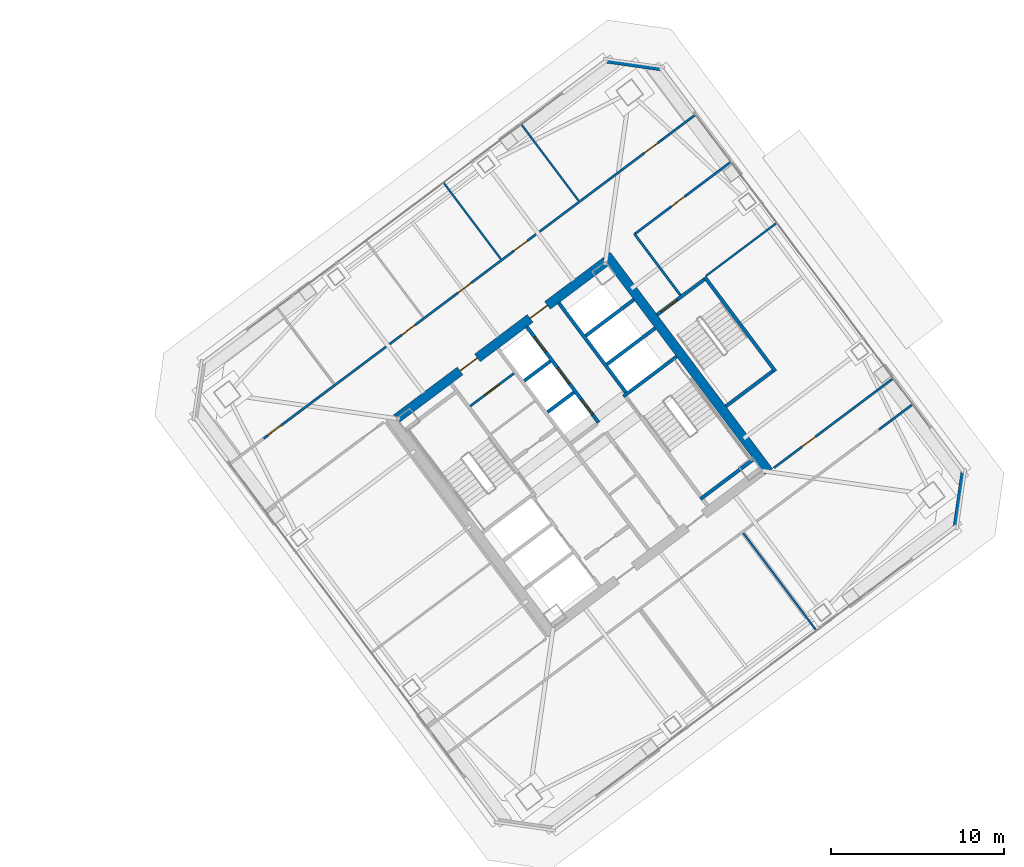
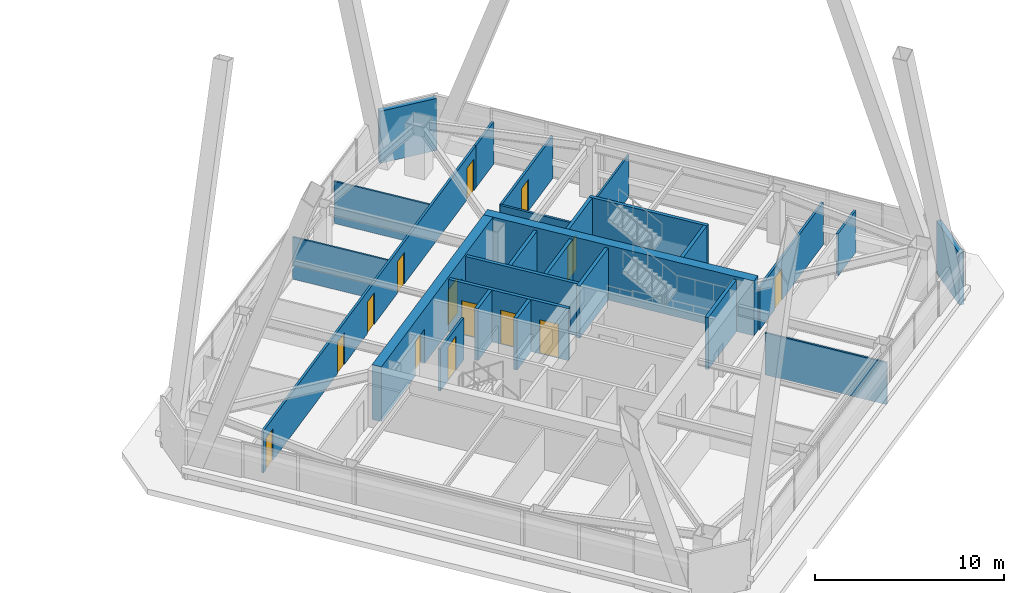
# One storey, part 58 of 65: 26 walls, 14 doors, 14 openings.
"""IFC4 building model written with IfcOpenShell, lengths in metres."""

from ifc_helpers import new_model, si_unit, direction, frame, frame_2d, origin, place, context, subcontext, project, spatial, rectangle, extrude, material, layer, layer_set, type_object, element, fill, save


model = new_model("IFC4")

# Units and contexts
model_context = context("Model", 3, precision=1e-05, world=origin(), true_north=direction((0.0, 1.0)))
body_context = subcontext(model_context, "Body", "Model", "MODEL_VIEW")
ifc_project = project(units=[si_unit("LENGTHUNIT", "METRE"), si_unit("AREAUNIT", "SQUARE_METRE"), si_unit("VOLUMEUNIT", "CUBIC_METRE"), si_unit("PLANEANGLEUNIT", "RADIAN"), si_unit("MASSUNIT", "GRAM", prefix="KILO")], contexts=[model_context])

# Site, building, storey
site_placement = place(None, origin())
site = spatial("IfcSite", under=ifc_project, at=site_placement, CompositionType="ELEMENT")
building_placement = place(site_placement, origin())
building = spatial("IfcBuilding", under=site, at=building_placement, Name="Tashvorn Skyway Center", CompositionType="ELEMENT")
storey_placement = place(building_placement, frame((0.0, 0.0, 157.0)))
storey = spatial("IfcBuildingStorey", under=building, at=storey_placement, Name="L42", CompositionType="ELEMENT", Elevation=157.0)

# Wall
ifc_material_1 = material(Name="Concrete C60/75", Category="concrete")
ifc_layer_1 = layer(ifc_material_1, 0.550048828125)
ifc_layer_set_1 = layer_set([ifc_layer_1], Name="Concrete C60/75")
wall_type_1 = type_object("IfcWallType", Name="WALL-CORE-550", PredefinedType="SHEAR", material=ifc_layer_set_1)
wall_1_placement = place(storey_placement, frame((115.56396484375, 42.923095703125, 0.0), z_axis=(0.0, 0.0, 1.0), x_axis=(0.600005007985, -0.799996243986, 0.0)))
element("IfcWall", 1, at=wall_1_placement, inside=storey, type_object=wall_type_1, Name="Tower 2 L42 East Core Shear Wall", PredefinedType="SHEAR", context=body_context, shape_type="SweptSolid", body=[
    extrude(rectangle(XDim=15.60009765625, YDim=0.550048828125, at=frame_2d((7.800048828125, 0.0))), origin(), (0.0, 0.0, 1.0), 3.550048828125),
])

# Wall, openings, doors
wall_2_placement = place(storey_placement, frame((103.4609375, 33.501953125, 0.0), z_axis=(0.0, 0.0, 1.0), x_axis=(0.799998054672, 0.600002593761, 0.0)))
wall_2 = element("IfcWall", 2, at=wall_2_placement, inside=storey, type_object=wall_type_1, Name="Tower 2 L42 North Core Shear Wall", PredefinedType="SHEAR", context=body_context, shape_type="SweptSolid", body=[
    extrude(rectangle(XDim=15.06005859375, YDim=0.550048828125, at=frame_2d((7.530029296875, 0.0))), origin(), (0.0, 0.0, 1.0), 3.550048828125),
])
opening_1_placement = place(wall_2_placement, frame((4.580078125, 0.0, 0.0)))
opening_1 = element("IfcOpeningElement", 3, at=opening_1_placement, cuts=wall_2, Name="Opening D-FFL-1250", PredefinedType="OPENING", context=body_context, shape_type="SweptSolid", body=[
    extrude(rectangle(XDim=1.25, YDim=2.25, at=frame_2d((0.625, 1.125))), frame((0.0, 0.284912109375, 0.0), z_axis=(0.0, -1.0, 0.0), x_axis=(1.0, 0.0, 0.0)), (0.0, 0.0, 1.0), 0.570068359375),
])
opening_2_placement = place(wall_2_placement, frame((9.6298828125, 0.0, 0.0)))
opening_2 = element("IfcOpeningElement", 4, at=opening_2_placement, cuts=wall_2, Name="Opening D-FFL-1250", PredefinedType="OPENING", context=body_context, shape_type="SweptSolid", body=[
    extrude(rectangle(XDim=1.25, YDim=2.25, at=frame_2d((0.625, 1.125))), frame((0.0, 0.284912109375, 0.0), z_axis=(0.0, -1.0, 0.0), x_axis=(1.0, 0.0, 0.0)), (0.0, 0.0, 1.0), 0.570068359375),
])
ifc_material_2 = material(Name="Hollow galvanized steel fire door assembly", Category="steel")
door_type_1 = type_object("IfcDoorType", Name="DOOR-FFL-1250", OperationType="NOTDEFINED", PredefinedType="DOOR", material=ifc_material_2)
door_1_placement = place(opening_1_placement, origin())
door_1 = element("IfcDoor", 5, at=door_1_placement, inside=storey, type_object=door_type_1, Name="Tower 2 L42 Core North Service Lobby Door", OperationType="SINGLE_SWING_LEFT", OverallHeight=2.25, OverallWidth=1.25, PredefinedType="DOOR", context=body_context, shape_type="SweptSolid", body=[
    extrude(rectangle(XDim=1.25, YDim=2.25, at=frame_2d((0.625, 1.125))), frame((0.0, 0.02490234375, 0.0), z_axis=(0.0, -1.0, 0.0), x_axis=(1.0, 0.0, 0.0)), (0.0, 0.0, 1.0), 0.050048828125),
])
fill(opening_1, door_1)
door_2_placement = place(opening_2_placement, origin())
door_2 = element("IfcDoor", 6, at=door_2_placement, inside=storey, type_object=door_type_1, Name="Tower 2 L42 Core North Lift Lobby Door", OperationType="SINGLE_SWING_RIGHT", OverallHeight=2.25, OverallWidth=1.25, PredefinedType="DOOR", context=body_context, shape_type="SweptSolid", body=[
    extrude(rectangle(XDim=1.25, YDim=2.25, at=frame_2d((0.625, 1.125))), frame((0.0, 0.02490234375, 0.0), z_axis=(0.0, -1.0, 0.0), x_axis=(1.0, 0.0, 0.0)), (0.0, 0.0, 1.0), 0.050048828125),
])
fill(opening_2, door_2)

# Walls
ifc_material_3 = material(Name="Precast concrete C40/50", Category="concrete")
ifc_layer_2 = layer(ifc_material_3, 0.280029296875)
ifc_layer_set_2 = layer_set([ifc_layer_2], Name="Precast concrete C40/50")
wall_type_2 = type_object("IfcWallType", Name="WALL-EXT-280", PredefinedType="SOLIDWALL", material=ifc_layer_set_2)
for number, where, z_axis, x_axis, name in (
    (7, (115.52001953125, 54.139892578125, 0.0), (0.0, 0.0, 1.0), (0.989950994782, -0.141410847992, 0.0), "Tower 2 L42 NE Precast Chamfer Wall"),
    (8, (136.139892578125, 30.47998046875, 0.0), (0.0, 0.0, 1.0), (-0.141410847992, -0.989950994782, 0.0), "Tower 2 L42 SE Precast Chamfer Wall"),
):
    element("IfcWall", number, at=place(storey_placement, frame(where, z_axis=z_axis, x_axis=x_axis)), inside=storey, type_object=wall_type_2, Name=name, PredefinedType="SOLIDWALL", context=body_context, shape_type="SweptSolid", body=[
        extrude(rectangle(XDim=3.252685546875, YDim=0.280029296875, at=frame_2d((1.62646484375, 0.0))), origin(), (0.0, 0.0, 1.0), 3.3701171875),
    ])
ifc_material_4 = material(Name="Gypsum board on cold-formed steel stud framing", Category="steel")
ifc_layer_3 = layer(ifc_material_4, 0.110107421875)
ifc_layer_set_3 = layer_set([ifc_layer_3], Name="Gypsum board on cold-formed steel stud framing")
wall_type_3 = type_object("IfcWallType", Name="WALL-PART-110", PredefinedType="PARTITIONING", material=ifc_layer_set_3)
wall_3_placement = place(storey_placement, frame((109.471923828125, 42.7041015625, 0.0), z_axis=(0.0, 0.0, 1.0), x_axis=(-0.599985794856, 0.800010653661, 0.0)))
element("IfcWall", 9, at=wall_3_placement, inside=storey, type_object=wall_type_3, Name="Tower 2 L42 North Suite Partition 3", PredefinedType="PARTITIONING", context=body_context, shape_type="SweptSolid", body=[
    extrude(rectangle(XDim=5.499755859375, YDim=0.110107421875, at=frame_2d((2.75, 0.0))), origin(), (0.0, 0.0, 1.0), 2.722900390625),
])
wall_4_placement = place(storey_placement, frame((113.951904296875, 46.06396484375, 0.0), z_axis=(0.0, 0.0, 1.0), x_axis=(-0.599964488045, 0.800026632735, 0.0)))
element("IfcWall", 10, at=wall_4_placement, inside=storey, type_object=wall_type_3, Name="Tower 2 L42 North Suite Partition 4", PredefinedType="PARTITIONING", context=body_context, shape_type="SweptSolid", body=[
    extrude(rectangle(XDim=5.5, YDim=0.110107421875, at=frame_2d((2.75, 0.0))), origin(), (0.0, 0.0, 1.0), 2.722900390625),
])
wall_5_placement = place(storey_placement, frame((127.66796875, 21.27587890625, 0.0), z_axis=(0.0, 0.0, 1.0), x_axis=(-0.6, 0.8, 0.0)))
element("IfcWall", 11, at=wall_5_placement, inside=storey, type_object=wall_type_3, Name="Tower 2 L42 South Suite Partition 2", PredefinedType="PARTITIONING", context=body_context, shape_type="SweptSolid", body=[
    extrude(rectangle(XDim=7.030029296875, YDim=0.110107421875, at=frame_2d((3.51513671875, 0.0))), origin(), (0.0, 0.0, 1.0), 2.722900390625),
])
wall_6_placement = place(storey_placement, frame((125.384033203125, 44.7880859375, 0.0), z_axis=(0.0, 0.0, 1.0), x_axis=(-0.8, -0.6, 0.0)))
element("IfcWall", 12, at=wall_6_placement, inside=storey, type_object=wall_type_3, Name="Tower 2 L42 East Suite Partition 1", PredefinedType="PARTITIONING", context=body_context, shape_type="SweptSolid", body=[
    extrude(rectangle(XDim=5.10009765625, YDim=0.110107421875, at=frame_2d((2.550048828125, 0.0))), origin(), (0.0, 0.0, 1.0), 2.722900390625),
])
ifc_layer_4 = layer(ifc_material_4, 0.135009765625)
ifc_layer_set_4 = layer_set([ifc_layer_4], Name="Gypsum board on cold-formed steel stud framing")
wall_type_4 = type_object("IfcWallType", Name="WALL-PART-135", PredefinedType="PARTITIONING", material=ifc_layer_set_4)
wall_7_placement = place(storey_placement, frame((119.823974609375, 40.617919921875, 0.0), z_axis=(0.0, 0.0, 1.0), x_axis=(-0.599982243973, 0.800013316712, 0.0)))
element("IfcWall", 13, at=wall_7_placement, inside=storey, type_object=wall_type_4, Name="Tower 2 L42 Stair 3 Access Corridor Wall", PredefinedType="PARTITIONING", context=body_context, shape_type="SweptSolid", body=[
    extrude(rectangle(XDim=4.39990234375, YDim=0.135009765625, at=frame_2d((2.199951171875, 0.0))), origin(), (0.0, 0.0, 1.0), 2.722900390625),
])

# Wall, openings, doors
wall_8_placement = place(storey_placement, frame((95.800048828125, 32.35009765625, 0.0), z_axis=(0.0, 0.0, 1.0), x_axis=(0.8, 0.6, 0.0)))
wall_8 = element("IfcWall", 14, at=wall_8_placement, inside=storey, type_object=wall_type_4, Name="Tower 2 L42 North Suite Wall", PredefinedType="PARTITIONING", context=body_context, shape_type="SweptSolid", body=[
    extrude(rectangle(XDim=28.699951171875, YDim=0.135009765625, at=frame_2d((14.35009765625, 0.0))), origin(), (0.0, 0.0, 1.0), 2.722900390625),
])
opening_3_placement = place(wall_8_placement, frame((0.300048828125, 0.0, 0.0)))
opening_3 = element("IfcOpeningElement", 15, at=opening_3_placement, cuts=wall_8, Name="Opening D-INT-950", PredefinedType="OPENING", context=body_context, shape_type="SweptSolid", body=[
    extrude(rectangle(XDim=0.949951171875, YDim=2.050048828125, at=frame_2d((0.47509765625, 1.02490234375))), frame((0.0, 0.077392578125, 0.0), z_axis=(0.0, -1.0, 0.0), x_axis=(1.0, 0.0, 0.0)), (0.0, 0.0, 1.0), 0.155029296875),
])
opening_4_placement = place(wall_8_placement, frame((9.95947265625, 0.0, 0.0)))
opening_4 = element("IfcOpeningElement", 16, at=opening_4_placement, cuts=wall_8, Name="Opening D-INT-950", PredefinedType="OPENING", context=body_context, shape_type="SweptSolid", body=[
    extrude(rectangle(XDim=0.949951171875, YDim=2.050048828125, at=frame_2d((0.47509765625, 1.02490234375))), frame((0.0, 0.077392578125, 0.0), z_axis=(0.0, -1.0, 0.0), x_axis=(1.0, 0.0, 0.0)), (0.0, 0.0, 1.0), 0.155029296875),
])
opening_5_placement = place(wall_8_placement, frame((14.004638671875, 0.0, 0.0)))
opening_5 = element("IfcOpeningElement", 17, at=opening_5_placement, cuts=wall_8, Name="Opening D-INT-950", PredefinedType="OPENING", context=body_context, shape_type="SweptSolid", body=[
    extrude(rectangle(XDim=0.949951171875, YDim=2.050048828125, at=frame_2d((0.47509765625, 1.02490234375))), frame((0.0, 0.077392578125, 0.0), z_axis=(0.0, -1.0, 0.0), x_axis=(1.0, 0.0, 0.0)), (0.0, 0.0, 1.0), 0.155029296875),
])
opening_6_placement = place(wall_8_placement, frame((18.048583984375, 0.0, 0.0)))
opening_6 = element("IfcOpeningElement", 18, at=opening_6_placement, cuts=wall_8, Name="Opening D-INT-950", PredefinedType="OPENING", context=body_context, shape_type="SweptSolid", body=[
    extrude(rectangle(XDim=0.949951171875, YDim=2.050048828125, at=frame_2d((0.47509765625, 1.02490234375))), frame((0.0, 0.077392578125, 0.0), z_axis=(0.0, -1.0, 0.0), x_axis=(1.0, 0.0, 0.0)), (0.0, 0.0, 1.0), 0.155029296875),
])
opening_7_placement = place(wall_8_placement, frame((27.449951171875, 0.0, 0.0)))
opening_7 = element("IfcOpeningElement", 19, at=opening_7_placement, cuts=wall_8, Name="Opening D-INT-950", PredefinedType="OPENING", context=body_context, shape_type="SweptSolid", body=[
    extrude(rectangle(XDim=0.949951171875, YDim=2.050048828125, at=frame_2d((0.47509765625, 1.02490234375))), frame((0.0, 0.077392578125, 0.0), z_axis=(0.0, -1.0, 0.0), x_axis=(1.0, 0.0, 0.0)), (0.0, 0.0, 1.0), 0.155029296875),
])
ifc_material_5 = material(Name="Solid-core architectural oak veneer door")
door_type_2 = type_object("IfcDoorType", Name="DOOR-INT-950", OperationType="NOTDEFINED", PredefinedType="DOOR", material=ifc_material_5)
door_3_placement = place(opening_3_placement, origin())
door_3 = element("IfcDoor", 20, at=door_3_placement, inside=storey, type_object=door_type_2, Name="Tower 2 L42 Research Library Door", OperationType="SINGLE_SWING_RIGHT", OverallHeight=2.050048828125, OverallWidth=0.949951171875, PredefinedType="DOOR", context=body_context, shape_type="SweptSolid", body=[
    extrude(rectangle(XDim=0.949951171875, YDim=2.050048828125, at=frame_2d((0.47509765625, 1.02490234375))), frame((0.0, 0.02490234375, 0.0), z_axis=(0.0, -1.0, 0.0), x_axis=(1.0, 0.0, 0.0)), (0.0, 0.0, 1.0), 0.050048828125),
])
fill(opening_3, door_3)
door_4_placement = place(opening_4_placement, origin())
door_4 = element("IfcDoor", 21, at=door_4_placement, inside=storey, type_object=door_type_2, Name="Tower 2 L42 Research Library Door", OperationType="SINGLE_SWING_LEFT", OverallHeight=2.050048828125, OverallWidth=0.949951171875, PredefinedType="DOOR", context=body_context, shape_type="SweptSolid", body=[
    extrude(rectangle(XDim=0.949951171875, YDim=2.050048828125, at=frame_2d((0.47509765625, 1.02490234375))), frame((0.0, 0.02490234375, 0.0), z_axis=(0.0, -1.0, 0.0), x_axis=(1.0, 0.0, 0.0)), (0.0, 0.0, 1.0), 0.050048828125),
])
fill(opening_4, door_4)
door_5_placement = place(opening_5_placement, origin())
door_5 = element("IfcDoor", 22, at=door_5_placement, inside=storey, type_object=door_type_2, Name="Tower 2 L42 Staff Fitness Club Door", OperationType="SINGLE_SWING_RIGHT", OverallHeight=2.050048828125, OverallWidth=0.949951171875, PredefinedType="DOOR", context=body_context, shape_type="SweptSolid", body=[
    extrude(rectangle(XDim=0.949951171875, YDim=2.050048828125, at=frame_2d((0.47509765625, 1.02490234375))), frame((0.0, 0.02490234375, 0.0), z_axis=(0.0, -1.0, 0.0), x_axis=(1.0, 0.0, 0.0)), (0.0, 0.0, 1.0), 0.050048828125),
])
fill(opening_5, door_5)
door_6_placement = place(opening_6_placement, origin())
door_6 = element("IfcDoor", 23, at=door_6_placement, inside=storey, type_object=door_type_2, Name="Tower 2 L42 Research Library Door", OperationType="SINGLE_SWING_LEFT", OverallHeight=2.050048828125, OverallWidth=0.949951171875, PredefinedType="DOOR", context=body_context, shape_type="SweptSolid", body=[
    extrude(rectangle(XDim=0.949951171875, YDim=2.050048828125, at=frame_2d((0.47509765625, 1.02490234375))), frame((0.0, 0.02490234375, 0.0), z_axis=(0.0, -1.0, 0.0), x_axis=(1.0, 0.0, 0.0)), (0.0, 0.0, 1.0), 0.050048828125),
])
fill(opening_6, door_6)
door_7_placement = place(opening_7_placement, origin())
door_7 = element("IfcDoor", 24, at=door_7_placement, inside=storey, type_object=door_type_2, Name="Tower 2 L42 Research Library Door", OperationType="SINGLE_SWING_RIGHT", OverallHeight=2.050048828125, OverallWidth=0.949951171875, PredefinedType="DOOR", context=body_context, shape_type="SweptSolid", body=[
    extrude(rectangle(XDim=0.949951171875, YDim=2.050048828125, at=frame_2d((0.47509765625, 1.02490234375))), frame((0.0, 0.02490234375, 0.0), z_axis=(0.0, -1.0, 0.0), x_axis=(1.0, 0.0, 0.0)), (0.0, 0.0, 1.0), 0.050048828125),
])
fill(opening_7, door_7)

# Walls
for number, where, z_axis, x_axis, name in (
    (25, (118.760009765625, 49.570068359375, 0.0), (0.0, 0.0, 1.0), (0.800012055778, 0.599983925293, 0.0), "Tower 2 L42 North-East Suite South Wall"),
    (26, (131.281982421875, 32.8740234375, 0.0), (0.0, 0.0, 1.0), (0.800012055778, 0.599983925293, 0.0), "Tower 2 L42 South-East Suite North Wall"),
):
    element("IfcWall", number, at=place(storey_placement, frame(where, z_axis=z_axis, x_axis=x_axis)), inside=storey, type_object=wall_type_4, Name=name, PredefinedType="PARTITIONING", context=body_context, shape_type="SweptSolid", body=[
        extrude(rectangle(XDim=2.43017578125, YDim=0.135009765625, at=frame_2d((1.215087890625, 0.0))), origin(), (0.0, 0.0, 1.0), 2.722900390625),
    ])

# Wall, opening, door
wall_9_placement = place(storey_placement, frame((122.743896484375, 48.30810546875, 0.0), z_axis=(0.0, 0.0, 1.0), x_axis=(-0.79997892247, -0.600028102345, 0.0)))
wall_9 = element("IfcWall", 27, at=wall_9_placement, inside=storey, type_object=wall_type_4, Name="Tower 2 L42 East Suite North Wall", PredefinedType="PARTITIONING", context=body_context, shape_type="SweptSolid", body=[
    extrude(rectangle(XDim=6.949951171875, YDim=0.135009765625, at=frame_2d((3.47509765625, 0.0))), origin(), (0.0, 0.0, 1.0), 2.722900390625),
])
opening_8_placement = place(wall_9_placement, frame((3.35009765625, 0.0, 0.0)))
opening_8 = element("IfcOpeningElement", 28, at=opening_8_placement, cuts=wall_9, Name="Opening D-INT-950", PredefinedType="OPENING", context=body_context, shape_type="SweptSolid", body=[
    extrude(rectangle(XDim=0.949951171875, YDim=2.050048828125, at=frame_2d((0.47509765625, 1.02490234375))), frame((0.0, 0.077392578125, 0.0), z_axis=(0.0, -1.0, 0.0), x_axis=(1.0, 0.0, 0.0)), (0.0, 0.0, 1.0), 0.155029296875),
])
door_8_placement = place(opening_8_placement, origin())
door_8 = element("IfcDoor", 29, at=door_8_placement, inside=storey, type_object=door_type_2, Name="Tower 2 L42 Research Library Door", OperationType="SINGLE_SWING_RIGHT", OverallHeight=2.050048828125, OverallWidth=0.949951171875, PredefinedType="DOOR", context=body_context, shape_type="SweptSolid", body=[
    extrude(rectangle(XDim=0.949951171875, YDim=2.050048828125, at=frame_2d((0.47509765625, 1.02490234375))), frame((0.0, 0.02490234375, 0.0), z_axis=(0.0, -1.0, 0.0), x_axis=(1.0, 0.0, 0.0)), (0.0, 0.0, 1.0), 0.050048828125),
])
fill(opening_8, door_8)

wall_10_placement = place(storey_placement, frame((125.2080078125, 30.656005859375, 0.0), z_axis=(0.0, 0.0, 1.0), x_axis=(0.800006797429, 0.599990936654, 0.0)))
wall_10 = element("IfcWall", 30, at=wall_10_placement, inside=storey, type_object=wall_type_4, Name="Tower 2 L42 East Suite South Wall", PredefinedType="PARTITIONING", context=body_context, shape_type="SweptSolid", body=[
    extrude(rectangle(XDim=8.619873046875, YDim=0.135009765625, at=frame_2d((4.31005859375, 0.0))), origin(), (0.0, 0.0, 1.0), 2.722900390625),
])
opening_9_placement = place(wall_10_placement, frame((2.044921875, 0.0, 0.0)))
opening_9 = element("IfcOpeningElement", 31, at=opening_9_placement, cuts=wall_10, Name="Opening D-INT-950", PredefinedType="OPENING", context=body_context, shape_type="SweptSolid", body=[
    extrude(rectangle(XDim=0.949951171875, YDim=2.050048828125, at=frame_2d((0.47509765625, 1.02490234375))), frame((0.0, 0.077392578125, 0.0), z_axis=(0.0, -1.0, 0.0), x_axis=(1.0, 0.0, 0.0)), (0.0, 0.0, 1.0), 0.155029296875),
])
door_9_placement = place(opening_9_placement, origin())
door_9 = element("IfcDoor", 32, at=door_9_placement, inside=storey, type_object=door_type_2, Name="Tower 2 L42 Public Restroom Door", OperationType="SINGLE_SWING_LEFT", OverallHeight=2.050048828125, OverallWidth=0.949951171875, PredefinedType="DOOR", context=body_context, shape_type="SweptSolid", body=[
    extrude(rectangle(XDim=0.949951171875, YDim=2.050048828125, at=frame_2d((0.47509765625, 1.02490234375))), frame((0.0, 0.02490234375, 0.0), z_axis=(0.0, -1.0, 0.0), x_axis=(1.0, 0.0, 0.0)), (0.0, 0.0, 1.0), 0.050048828125),
])
fill(opening_9, door_9)

ifc_layer_5 = layer(ifc_material_4, 0.135009765625)
ifc_layer_set_5 = layer_set([ifc_layer_5], Name="Gypsum board on cold-formed steel stud framing")
wall_type_5 = type_object("IfcWallType", Name="WALL-RATED-135", PredefinedType="PARTITIONING", material=ifc_layer_set_5)
wall_11_placement = place(storey_placement, frame((107.7099609375, 34.219970703125, 0.0), z_axis=(0.0, 0.0, 1.0), x_axis=(0.799981399002, 0.60002480053, 0.0)))
wall_11 = element("IfcWall", 33, at=wall_11_placement, inside=storey, type_object=wall_type_5, Name="Tower 2 L42 Core Service Lobby Wall", PredefinedType="PARTITIONING", context=body_context, shape_type="SweptSolid", body=[
    extrude(rectangle(XDim=3.150146484375, YDim=0.135009765625, at=frame_2d((1.5751953125, 0.0))), origin(), (0.0, 0.0, 1.0), 2.722900390625),
])
opening_10_placement = place(wall_11_placement, frame((1.050048828125, 0.0, 0.0)))
opening_10 = element("IfcOpeningElement", 34, at=opening_10_placement, cuts=wall_11, Name="Opening D-RT-1050", PredefinedType="OPENING", context=body_context, shape_type="SweptSolid", body=[
    extrude(rectangle(XDim=1.050048828125, YDim=2.199951171875, at=frame_2d((0.52490234375, 1.10009765625))), frame((0.0, 0.077392578125, 0.0), z_axis=(0.0, -1.0, 0.0), x_axis=(1.0, 0.0, 0.0)), (0.0, 0.0, 1.0), 0.155029296875),
])
door_type_3 = type_object("IfcDoorType", Name="DOOR-RATED-1050", OperationType="NOTDEFINED", PredefinedType="DOOR", material=ifc_material_2)
door_10_placement = place(opening_10_placement, origin())
door_10 = element("IfcDoor", 35, at=door_10_placement, inside=storey, type_object=door_type_3, Name="Tower 2 L42 Core Accessible WC Door", OperationType="SINGLE_SWING_RIGHT", OverallHeight=2.199951171875, OverallWidth=1.050048828125, PredefinedType="DOOR", context=body_context, shape_type="SweptSolid", body=[
    extrude(rectangle(XDim=1.050048828125, YDim=2.199951171875, at=frame_2d((0.52490234375, 1.10009765625))), frame((0.0, 0.02490234375, 0.0), z_axis=(0.0, -1.0, 0.0), x_axis=(1.0, 0.0, 0.0)), (0.0, 0.0, 1.0), 0.050048828125),
])
fill(opening_10, door_10)

# Walls
ifc_material_6 = material(Name="Concrete C40/50", Category="concrete")
ifc_layer_6 = layer(ifc_material_6, 0.199951171875)
ifc_layer_set_6 = layer_set([ifc_layer_6], Name="Concrete C40/50")
wall_type_6 = type_object("IfcWallType", Name="WALL-SHAFT-200", PredefinedType="SOLIDWALL", material=ifc_layer_set_6)
for number, where, z_axis, x_axis, name in (
    (36, (115.590087890625, 36.6298828125, 0.0), (0.0, 0.0, 1.0), (0.799974743577, 0.600033673754, 0.0), "Tower 2 L42 High-Rise Shaft Divider"),
    (37, (114.360107421875, 38.27001953125, 0.0), (0.0, 0.0, 1.0), (0.800008418847, 0.599988774707, 0.0), "Tower 2 L42 High-Rise Shaft Divider"),
):
    element("IfcWall", number, at=place(storey_placement, frame(where, z_axis=z_axis, x_axis=x_axis)), inside=storey, type_object=wall_type_6, Name=name, PredefinedType="SOLIDWALL", context=body_context, shape_type="SweptSolid", body=[
        extrude(rectangle(XDim=3.47998046875, YDim=0.199951171875, at=frame_2d((1.739990234375, 0.0))), origin(), (0.0, 0.0, 1.0), 3.3701171875),
    ])

# Wall, openings, doors
wall_12_placement = place(storey_placement, frame((115.110107421875, 33.27001953125, 0.0), z_axis=(0.0, 0.0, 1.0), x_axis=(-0.600011322243, 0.799991508192, 0.0)))
wall_12 = element("IfcWall", 38, at=wall_12_placement, inside=storey, type_object=wall_type_6, Name="Tower 2 L42 Mid-Rise Core Wall", PredefinedType="SOLIDWALL", context=body_context, shape_type="SweptSolid", body=[
    extrude(rectangle(XDim=6.900146484375, YDim=0.199951171875, at=frame_2d((3.4501953125, 0.0))), origin(), (0.0, 0.0, 1.0), 3.3701171875),
])
opening_11_placement = place(wall_12_placement, frame((0.574951171875, 0.0, 0.0)))
opening_11 = element("IfcOpeningElement", 39, at=opening_11_placement, cuts=wall_12, Name="Opening LD-MR-T2-1-L42", PredefinedType="OPENING", context=body_context, shape_type="SweptSolid", body=[
    extrude(rectangle(XDim=1.10009765625, YDim=2.199951171875, at=frame_2d((0.550048828125, 1.10009765625))), frame((0.0, 0.10986328125, 0.0), z_axis=(0.0, -1.0, 0.0), x_axis=(1.0, 0.0, 0.0)), (0.0, 0.0, 1.0), 0.219970703125),
])
opening_12_placement = place(wall_12_placement, frame((2.824951171875, 0.0, 0.0)))
opening_12 = element("IfcOpeningElement", 40, at=opening_12_placement, cuts=wall_12, Name="Opening LD-MR-T2-2-L42", PredefinedType="OPENING", context=body_context, shape_type="SweptSolid", body=[
    extrude(rectangle(XDim=1.10009765625, YDim=2.199951171875, at=frame_2d((0.550048828125, 1.10009765625))), frame((0.0, 0.10986328125, 0.0), z_axis=(0.0, -1.0, 0.0), x_axis=(1.0, 0.0, 0.0)), (0.0, 0.0, 1.0), 0.219970703125),
])
opening_13_placement = place(wall_12_placement, frame((5.074951171875, 0.0, 0.0)))
opening_13 = element("IfcOpeningElement", 41, at=opening_13_placement, cuts=wall_12, Name="Opening LD-MR-T2-3-L42", PredefinedType="OPENING", context=body_context, shape_type="SweptSolid", body=[
    extrude(rectangle(XDim=1.10009765625, YDim=2.199951171875, at=frame_2d((0.550048828125, 1.10009765625))), frame((0.0, 0.10986328125, 0.0), z_axis=(0.0, -1.0, 0.0), x_axis=(1.0, 0.0, 0.0)), (0.0, 0.0, 1.0), 0.219970703125),
])
ifc_material_7 = material(Name="Stainless steel landing door", Category="steel")
door_type_4 = type_object("IfcDoorType", Name="DOOR-LIFT-1100", OperationType="SLIDING_TO_LEFT", PredefinedType="DOOR", material=ifc_material_7)
door_11_placement = place(opening_11_placement, origin())
door_11 = element("IfcDoor", 42, at=door_11_placement, inside=storey, type_object=door_type_4, Name="Lift MR-T2-1 L42 Landing Door", OperationType="SLIDING_TO_LEFT", OverallHeight=2.199951171875, OverallWidth=1.10009765625, PredefinedType="DOOR", context=body_context, shape_type="SweptSolid", body=[
    extrude(rectangle(XDim=1.10009765625, YDim=2.199951171875, at=frame_2d((0.550048828125, 1.10009765625))), frame((0.0, 0.02490234375, 0.0), z_axis=(0.0, -1.0, 0.0), x_axis=(1.0, 0.0, 0.0)), (0.0, 0.0, 1.0), 0.050048828125),
])
fill(opening_11, door_11)
door_12_placement = place(opening_12_placement, origin())
door_12 = element("IfcDoor", 43, at=door_12_placement, inside=storey, type_object=door_type_4, Name="Lift MR-T2-2 L42 Landing Door", OperationType="SLIDING_TO_LEFT", OverallHeight=2.199951171875, OverallWidth=1.10009765625, PredefinedType="DOOR", context=body_context, shape_type="SweptSolid", body=[
    extrude(rectangle(XDim=1.10009765625, YDim=2.199951171875, at=frame_2d((0.550048828125, 1.10009765625))), frame((0.0, 0.02490234375, 0.0), z_axis=(0.0, -1.0, 0.0), x_axis=(1.0, 0.0, 0.0)), (0.0, 0.0, 1.0), 0.050048828125),
])
fill(opening_12, door_12)
door_13_placement = place(opening_13_placement, origin())
door_13 = element("IfcDoor", 44, at=door_13_placement, inside=storey, type_object=door_type_4, Name="Lift MR-T2-3 L42 Landing Door", OperationType="SLIDING_TO_LEFT", OverallHeight=2.199951171875, OverallWidth=1.10009765625, PredefinedType="DOOR", context=body_context, shape_type="SweptSolid", body=[
    extrude(rectangle(XDim=1.10009765625, YDim=2.199951171875, at=frame_2d((0.550048828125, 1.10009765625))), frame((0.0, 0.02490234375, 0.0), z_axis=(0.0, -1.0, 0.0), x_axis=(1.0, 0.0, 0.0)), (0.0, 0.0, 1.0), 0.050048828125),
])
fill(opening_13, door_13)

# Walls
wall_13_placement = place(storey_placement, frame((112.176025390625, 33.882080078125, 0.0), z_axis=(0.0, 0.0, 1.0), x_axis=(0.8, 0.6, 0.0)))
element("IfcWall", 45, at=wall_13_placement, inside=storey, type_object=wall_type_6, Name="Tower 2 L42 Mid-Rise Shaft Divider", PredefinedType="SOLIDWALL", context=body_context, shape_type="SweptSolid", body=[
    extrude(rectangle(XDim=1.8798828125, YDim=0.199951171875, at=frame_2d((0.93994140625, 0.0))), origin(), (0.0, 0.0, 1.0), 3.3701171875),
])
wall_14_placement = place(storey_placement, frame((110.825927734375, 35.681884765625, 0.0), z_axis=(0.0, 0.0, 1.0), x_axis=(0.799984418148, 0.600020775241, 0.0)))
element("IfcWall", 46, at=wall_14_placement, inside=storey, type_object=wall_type_6, Name="Tower 2 L42 Mid-Rise Shaft Divider", PredefinedType="SOLIDWALL", context=body_context, shape_type="SweptSolid", body=[
    extrude(rectangle(XDim=1.880126953125, YDim=0.199951171875, at=frame_2d((0.93994140625, 0.0))), origin(), (0.0, 0.0, 1.0), 3.3701171875),
])
ifc_layer_7 = layer(ifc_material_6, 0.199951171875)
ifc_layer_set_7 = layer_set([ifc_layer_7], Name="Concrete C40/50")
wall_type_7 = type_object("IfcWallType", Name="WALL-STSHF-200", PredefinedType="SHEAR", material=ifc_layer_set_7)
for number, where, z_axis, x_axis, name in (
    (47, (116.5400390625, 34.780029296875, 0.0), (0.0, 0.0, 1.0), (0.800015298837, 0.599979601008, 0.0), "Tower 2 L42 Stair 2 North Wall"),
    (48, (120.97998046875, 28.860107421875, 0.0), (0.0, 0.0, 1.0), (0.800015298837, 0.599979601008, 0.0), "Tower 2 L42 Stair 2 South Wall"),
):
    element("IfcWall", number, at=place(storey_placement, frame(where, z_axis=z_axis, x_axis=x_axis)), inside=storey, type_object=wall_type_7, Name=name, PredefinedType="SHEAR", context=body_context, shape_type="SweptSolid", body=[
        extrude(rectangle(XDim=3.829833984375, YDim=0.199951171875, at=frame_2d((1.9150390625, 0.0))), origin(), (0.0, 0.0, 1.0), 3.3701171875),
    ])
wall_15_placement = place(storey_placement, frame((112.81005859375, 40.169921875, 0.0), z_axis=(0.0, 0.0, 1.0), x_axis=(0.599993943644, -0.800004542231, 0.0)))
element("IfcWall", 49, at=wall_15_placement, inside=storey, type_object=wall_type_7, Name="Tower 2 L42 High-Rise Lift Shaft Front Wall", PredefinedType="SHEAR", context=body_context, shape_type="SweptSolid", body=[
    extrude(rectangle(XDim=6.449951171875, YDim=0.199951171875, at=frame_2d((3.22509765625, 0.0))), origin(), (0.0, 0.0, 1.0), 3.3701171875),
])
wall_16_placement = place(storey_placement, frame((125.303955078125, 36.22802734375, 0.0), z_axis=(0.0, 0.0, 1.0), x_axis=(-0.59998851072, 0.800008616831, 0.0)))
element("IfcWall", 50, at=wall_16_placement, inside=storey, type_object=wall_type_7, Name="Tower 2 L42 Stair 3 Outer Wall", PredefinedType="SHEAR", context=body_context, shape_type="SweptSolid", body=[
    extrude(rectangle(XDim=6.7998046875, YDim=0.199951171875, at=frame_2d((3.39990234375, 0.0))), origin(), (0.0, 0.0, 1.0), 3.3701171875),
])

# Wall, opening, door
wall_17_placement = place(storey_placement, frame((121.2041015625, 41.528076171875, 0.0), z_axis=(0.0, 0.0, 1.0), x_axis=(-0.800017232136, -0.599977023131, 0.0)))
wall_17 = element("IfcWall", 51, at=wall_17_placement, inside=storey, type_object=wall_type_7, Name="Tower 2 L42 Stair 3 Enclosure Wall", PredefinedType="SHEAR", context=body_context, shape_type="SweptSolid", body=[
    extrude(rectangle(XDim=3.400146484375, YDim=0.199951171875, at=frame_2d((1.7001953125, 0.0))), origin(), (0.0, 0.0, 1.0), 3.3701171875),
])
opening_14_placement = place(wall_17_placement, frame((1.97509765625, 0.0, 0.0)))
opening_14 = element("IfcOpeningElement", 52, at=opening_14_placement, cuts=wall_17, Name="Opening D-ST-1150", PredefinedType="OPENING", context=body_context, shape_type="SweptSolid", body=[
    extrude(rectangle(XDim=1.14990234375, YDim=2.199951171875, at=frame_2d((0.574951171875, 1.10009765625))), frame((0.0, 0.10986328125, 0.0), z_axis=(0.0, -1.0, 0.0), x_axis=(1.0, 0.0, 0.0)), (0.0, 0.0, 1.0), 0.219970703125),
])
door_type_5 = type_object("IfcDoorType", Name="DOOR-STAIR-1150", OperationType="NOTDEFINED", PredefinedType="DOOR", material=ifc_material_2)
door_14_placement = place(opening_14_placement, origin())
door_14 = element("IfcDoor", 53, at=door_14_placement, inside=storey, type_object=door_type_5, Name="Tower 2 L42 Exit Stair 3 Door", OperationType="SINGLE_SWING_RIGHT", OverallHeight=2.199951171875, OverallWidth=1.14990234375, PredefinedType="DOOR", context=body_context, shape_type="SweptSolid", body=[
    extrude(rectangle(XDim=1.14990234375, YDim=2.199951171875, at=frame_2d((0.574951171875, 1.10009765625))), frame((0.0, 0.02490234375, 0.0), z_axis=(0.0, -1.0, 0.0), x_axis=(1.0, 0.0, 0.0)), (0.0, 0.0, 1.0), 0.050048828125),
])
fill(opening_14, door_14)

# Wall
wall_18_placement = place(storey_placement, frame((122.444091796875, 34.2080078125, 0.0), z_axis=(0.0, 0.0, 1.0), x_axis=(0.79999138319, 0.600011488909, 0.0)))
element("IfcWall", 54, at=wall_18_placement, inside=storey, type_object=wall_type_7, Name="Tower 2 L42 Stair 3 South Wall", PredefinedType="SHEAR", context=body_context, shape_type="SweptSolid", body=[
    extrude(rectangle(XDim=3.39990234375, YDim=0.199951171875, at=frame_2d((1.699951171875, 0.0))), origin(), (0.0, 0.0, 1.0), 3.3701171875),
])

save(model, "model.ifc")
